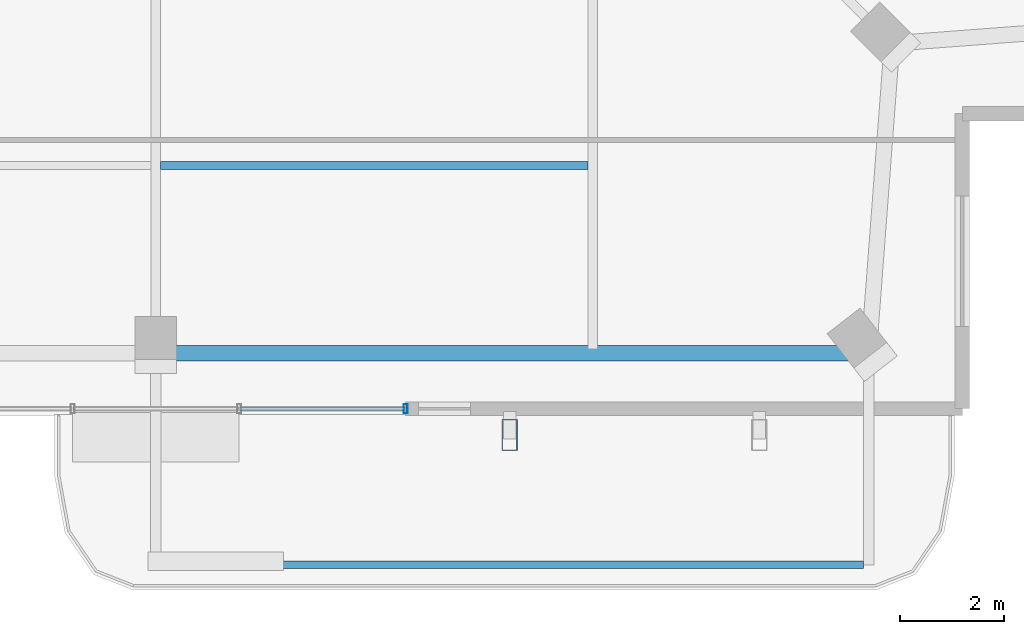
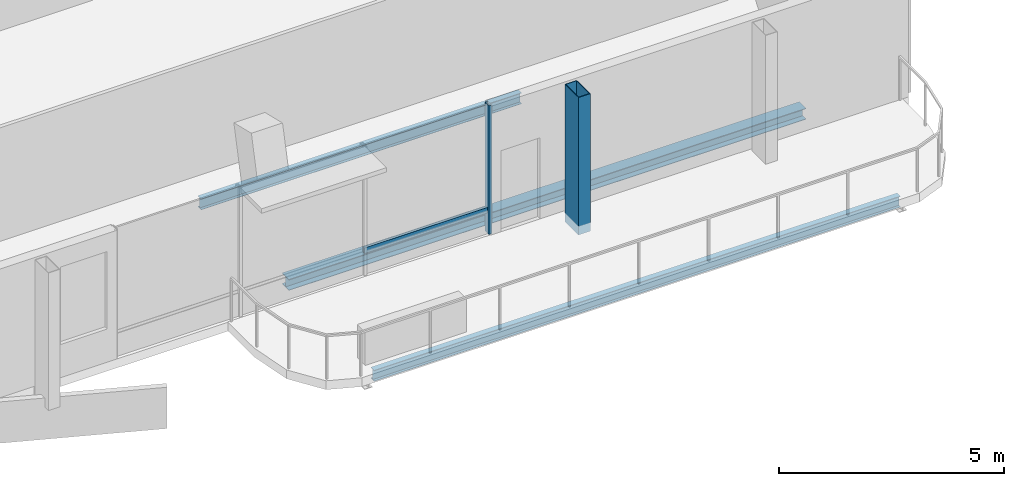
# One storey, part 4 of 20: 3 beams, 3 members, 1 element without a shape of its own.
"""IFC4 building model written with IfcOpenShell, lengths in metres."""

from ifc_helpers import new_model, si_unit, direction, frame, origin, origin_2d, place, context, subcontext, project, spatial, hollow_rectangle, i_section, extrude, material, layer, layer_set, material_profile, profile_set, type_object, element, aggregate, save


model = new_model("IFC4")

# Units and contexts
model_context = context("Model", 3, precision=1e-05, world=origin(), true_north=direction((0.0, 1.0)))
body_context = subcontext(model_context, "Body", "Model", "MODEL_VIEW")
ifc_project = project(units=[si_unit("LENGTHUNIT", "METRE"), si_unit("AREAUNIT", "SQUARE_METRE"), si_unit("VOLUMEUNIT", "CUBIC_METRE"), si_unit("PLANEANGLEUNIT", "RADIAN"), si_unit("MASSUNIT", "GRAM", prefix="KILO")], contexts=[model_context])

# Site, building, storey
site_placement = place(None, origin())
site = spatial("IfcSite", under=ifc_project, at=site_placement, CompositionType="ELEMENT")
building_placement = place(site_placement, origin())
building = spatial("IfcBuilding", under=site, at=building_placement, Name="Belovzor Exchange Tower", CompositionType="ELEMENT")
storey_placement = place(building_placement, frame((0.0, 0.0, 351.75)))
storey = spatial("IfcBuildingStorey", under=building, at=storey_placement, Name="L88", CompositionType="ELEMENT", Elevation=351.75)

# Beams
ifc_material_1 = material(Name="Steel S355", Category="steel")
ifc_material_profile_1 = material_profile(ifc_material_1, i_section(OverallWidth=0.14990234375, OverallDepth=0.300048828125, WebThickness=0.007080078125, FlangeThickness=0.0107421875, at=origin_2d()))
ifc_profile_set_1 = profile_set([ifc_material_profile_1], Name="Steel S355")
beam_type_1 = type_object("IfcBeamType", Name="Planted Balcony Fascia Edge Beam IPE 300", PredefinedType="BEAM", material=ifc_profile_set_1)
beam_1_placement = place(storey_placement, frame((28.89990234375, 4.6298828125, -0.389892578125), z_axis=(1.0, 0.0, 0.0), x_axis=(0.0, 1.0, 0.0)))
element("IfcBeam", 1, at=beam_1_placement, inside=storey, type_object=beam_type_1, Name="BC-300 Planted Balcony Fascia Edge Beam IPE 300", PredefinedType="BEAM", context=body_context, shape_type="SweptSolid", body=[
    extrude(i_section(OverallWidth=0.14990234375, OverallDepth=0.300048828125, WebThickness=0.007080078125, FlangeThickness=0.0107421875, at=origin_2d()), origin(), (0.0, 0.0, 1.0), 13.5),
])
ifc_material_2 = material(Name="Steel S355", Category="steel")
ifc_material_profile_2 = material_profile(ifc_material_2, i_section(OverallWidth=0.14990234375, OverallDepth=0.300048828125, WebThickness=0.007080078125, FlangeThickness=0.0107421875, at=origin_2d()))
ifc_profile_set_2 = profile_set([ifc_material_profile_2], Name="Steel S355")
beam_type_2 = type_object("IfcBeamType", Name="Secondary Trim Floor Joist IPE 300", PredefinedType="BEAM", material=ifc_profile_set_2)
beam_2_placement = place(storey_placement, frame((28.889892578125, 12.302978515625, -0.389892578125), z_axis=(1.0, 0.0, 0.0), x_axis=(0.0, 1.0, 0.0)))
element("IfcBeam", 2, at=beam_2_placement, inside=storey, type_object=beam_type_2, Name="FJ-300 Secondary Trim Floor Joist IPE 300", PredefinedType="BEAM", context=body_context, shape_type="SweptSolid", body=[
    extrude(i_section(OverallWidth=0.14990234375, OverallDepth=0.300048828125, WebThickness=0.007080078125, FlangeThickness=0.0107421875, at=origin_2d()), origin(), (0.0, 0.0, 1.0), 8.22021484375),
])

# Curtain wall, members
ifc_material_3 = material(Name="Anodised Aluminium Framing", Category="aluminium")
ifc_layer = layer(ifc_material_3, 0.179931640625)
ifc_layer_set = layer_set([ifc_layer], Name="Anodised Aluminium Framing")
curtain_wall_type = type_object("IfcCurtainWallType", Name="Recessed Loggia Low-Iron Triple-Glazed Curtain Wall", PredefinedType="NOTDEFINED", material=ifc_layer_set)
curtain_wall_placement = place(storey_placement, origin())
curtain_wall = element("IfcCurtainWall", 3, at=curtain_wall_placement, inside=storey, type_object=curtain_wall_type, Name="CW3 Recessed Loggia Low-Iron Triple-Glazed Curtain Wall L88", PredefinedType="NOTDEFINED")
ifc_material_4 = material(Name="Steel S355", Category="steel")
ifc_material_profile_3 = material_profile(ifc_material_4, hollow_rectangle(XDim=0.074951171875, YDim=0.179931640625, WallThickness=0.0048828125, at=origin_2d()))
ifc_profile_set_3 = profile_set([ifc_material_profile_3], Name="Steel S355")
member_type_1 = type_object("IfcMemberType", Name="Thermally Broken Curtain Wall Mullion 180x75", PredefinedType="MULLION", material=ifc_profile_set_3)
member_1_placement = place(storey_placement, frame((33.60009765625, 7.6298828125, 0.0), z_axis=(0.0, 0.0, 1.0), x_axis=(-1.0, 0.0, 0.0)))
member_1 = element("IfcMember", 4, at=member_1_placement, type_object=member_type_1, Name="CW-M180 Curtain Wall Mullion 1", PredefinedType="MULLION", context=body_context, shape_type="SweptSolid", body=[
    extrude(hollow_rectangle(XDim=0.074951171875, YDim=0.179931640625, WallThickness=0.0048828125, at=origin_2d()), origin(), (0.0, 0.0, 1.0), 3.489990234375),
])
ifc_material_5 = material(Name="Steel S355", Category="steel")
ifc_material_profile_4 = material_profile(ifc_material_5, hollow_rectangle(XDim=0.06005859375, YDim=0.14990234375, WallThickness=0.00390625, at=origin_2d()))
ifc_profile_set_4 = profile_set([ifc_material_profile_4], Name="Steel S355")
member_type_2 = type_object("IfcMemberType", Name="Thermally Broken Curtain Wall Transom 150x60", PredefinedType="USERDEFINED", material=ifc_profile_set_4)
member_2_placement = place(storey_placement, frame((33.592041015625, 7.6298828125, 0.6279296875), z_axis=(-1.0, 0.0, 0.0), x_axis=(0.0, -1.0, 0.0)))
member_2 = element("IfcMember", 5, at=member_2_placement, type_object=member_type_2, Name="CW-T150 Curtain Wall Transom 1", ObjectType="TRANSOM", PredefinedType="USERDEFINED", context=body_context, shape_type="SweptSolid", body=[
    extrude(hollow_rectangle(XDim=0.06005859375, YDim=0.14990234375, WallThickness=0.00390625, at=origin_2d()), origin(), (0.0, 0.0, 1.0), 3.18408203125),
])
aggregate(curtain_wall, [member_1, member_2])

# Member
ifc_material_6 = material(Name="Extruded Architectural Terracotta on Steel S355 Carrier", Category="masonry")
ifc_material_profile_5 = material_profile(ifc_material_6, hollow_rectangle(XDim=0.300048828125, YDim=0.60009765625, WallThickness=0.01611328125, at=origin_2d()))
ifc_profile_set_5 = profile_set([ifc_material_profile_5], Name="Extruded Architectural Terracotta on Steel S355 Carrier")
member_type_3 = type_object("IfcMemberType", Name="Upper Crown Terracotta Fin Assembly 550", PredefinedType="USERDEFINED", material=ifc_profile_set_5)
member_3_placement = place(storey_placement, frame((35.60009765625, 7.125, -0.239990234375), z_axis=(0.0, 0.0, 1.0), x_axis=(1.0, 0.0, 0.0)))
element("IfcMember", 6, at=member_3_placement, inside=storey, type_object=member_type_3, Name="FIN-TC055 Terracotta Facade Fin L88 S3", ObjectType="FIN", PredefinedType="USERDEFINED", context=body_context, shape_type="SweptSolid", body=[
    extrude(hollow_rectangle(XDim=0.300048828125, YDim=0.60009765625, WallThickness=0.01611328125, at=origin_2d()), origin(), (0.0, 0.0, 1.0), 3.72998046875),
])

# Beam
ifc_material_7 = material(Name="Steel S355", Category="steel")
ifc_material_profile_6 = material_profile(ifc_material_7, i_section(OverallWidth=0.300048828125, OverallDepth=0.300048828125, WebThickness=0.008544921875, FlangeThickness=0.013916015625, at=origin_2d()))
ifc_profile_set_6 = profile_set([ifc_material_profile_6], Name="Steel S355")
beam_type_3 = type_object("IfcBeamType", Name="Zone 6 Primary Girder HEA 300", PredefinedType="BEAM", material=ifc_profile_set_6)
beam_3_placement = place(storey_placement, frame((29.02001953125, 8.699951171875, -0.389892578125), z_axis=(1.0, 0.0, 0.0), x_axis=(0.0, 1.0, 0.0)))
element("IfcBeam", 7, at=beam_3_placement, inside=storey, type_object=beam_type_3, Name="FG-Z6 Zone 6 Primary Girder HEA 300", PredefinedType="BEAM", context=body_context, shape_type="SweptSolid", body=[
    extrude(i_section(OverallWidth=0.300048828125, OverallDepth=0.300048828125, WebThickness=0.008544921875, FlangeThickness=0.013916015625, at=origin_2d()), origin(), (0.0, 0.0, 1.0), 13.260009765625),
])

save(model, "model.ifc")
